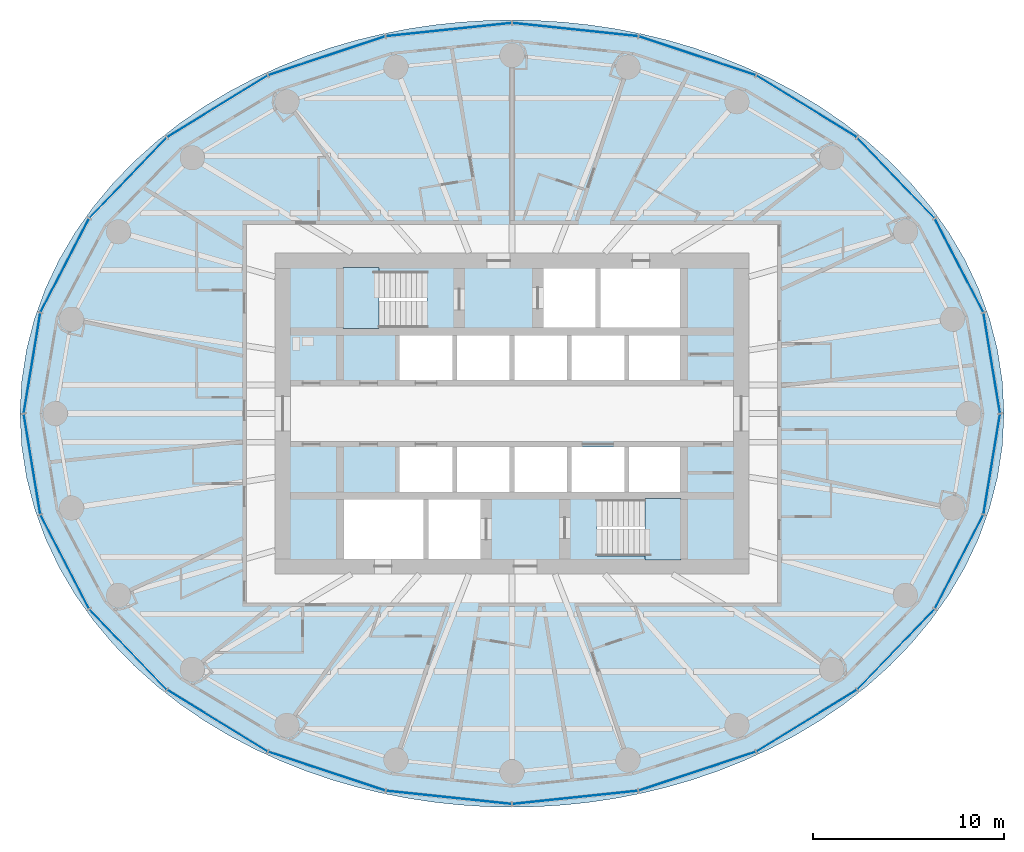
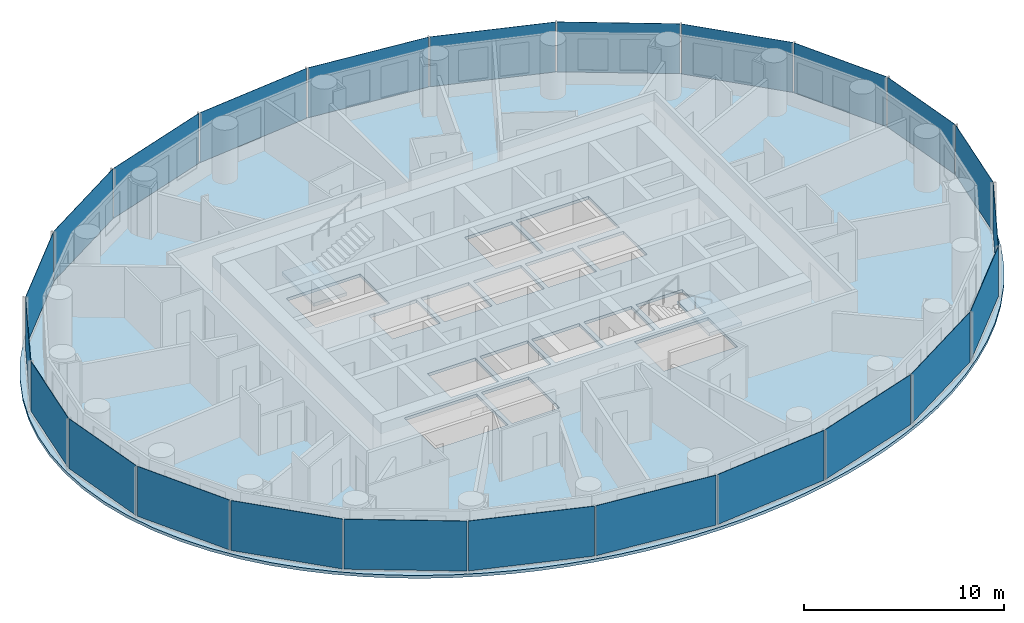
# One storey, part 5 of 14: 24 plates, 3 slabs, 6 elements without a shape of their own.
"""IFC4 building model written with IfcOpenShell, lengths in metres."""

import ifcopenshell
import ifcopenshell.guid

model = None  # the IFC model being written
_history = None  # IfcOwnerHistory: only IFC2X3 demands one
_inside = {}  # id of a spatial element -> (the spatial element, [elements in it])
_under = {}  # id of a project, library or spatial element -> (it, [spatial elements below it])
_declared = {}  # id of a project -> (the project, [libraries it declares])
_typed = {}  # id of a type object -> (the type object, [elements of that type])
_made_of = {}  # id of a material, layer set ... -> (it, [elements and type objects made of it])


def new_model(schema):
    """Start an empty IFC model of exactly this schema.

    Asked for "IFC4X3", IfcOpenShell would pick the latest addendum, in which some entities
    have other attributes; the version numbers below select the first issue.
    IFC2X3 requires an IfcOwnerHistory on every rooted entity: one is made here for all.
    """
    global model, _history
    if schema == "IFC4X3":
        model = ifcopenshell.file(schema_version=(4, 3, 0, 0))
    else:
        model = ifcopenshell.file(schema=schema)
    _inside.clear()
    _under.clear()
    _declared.clear()
    _typed.clear()
    _made_of.clear()
    _history = None
    if model.schema == "IFC2X3":
        org = make("IfcOrganization", Name="unknown")
        user = make(
            "IfcPersonAndOrganization",
            ThePerson=make("IfcPerson", FamilyName="unknown"),
            TheOrganization=org,
        )
        app = make(
            "IfcApplication",
            ApplicationDeveloper=org,
            Version="unknown",
            ApplicationFullName="unknown",
            ApplicationIdentifier="unknown",
        )
        _history = make(
            "IfcOwnerHistory",
            OwningUser=user,
            OwningApplication=app,
            ChangeAction="ADDED",
            CreationDate=0,
        )
    return model


def make(cls, **values):
    """One entity of the class cls with the attributes given. An attribute that is None is left unset."""
    return model.create_entity(
        cls, **{name: value for name, value in values.items() if value is not None}
    )


def rooted(cls, **values):
    """An entity with a GlobalId (a new one), such as an element, a storey or a relation."""
    return make(cls, GlobalId=ifcopenshell.guid.new(), OwnerHistory=_history, **values)


def si_unit(unit_type, name, prefix=None):
    """IfcSIUnit, for example si_unit("LENGTHUNIT", "METRE", prefix="MILLI")."""
    return make("IfcSIUnit", UnitType=unit_type, Prefix=prefix, Name=name)


def assignment(units):
    """IfcUnitAssignment: the units of a project."""
    return None if units is None else make("IfcUnitAssignment", Units=units)


def point(xyz):
    """IfcCartesianPoint."""
    return None if xyz is None else make("IfcCartesianPoint", Coordinates=xyz)


def direction(xyz):
    """IfcDirection."""
    return None if xyz is None else make("IfcDirection", DirectionRatios=xyz)


def frame(location, z_axis=None, x_axis=None):
    """IfcAxis2Placement3D, a coordinate frame: its origin and axes. An axis left out is left unset."""
    return make(
        "IfcAxis2Placement3D",
        Location=point(location),
        Axis=direction(z_axis),
        RefDirection=direction(x_axis),
    )


def frame_2d(location, x_axis=None):
    """IfcAxis2Placement2D, a coordinate frame in the plane: its origin and x axis."""
    return make(
        "IfcAxis2Placement2D", Location=point(location), RefDirection=direction(x_axis)
    )


def origin():
    """The frame at (0, 0, 0) with its axes left unset."""
    return frame((0.0, 0.0, 0.0))


def origin_2d():
    """The frame at (0, 0) in the plane with its x axis left unset."""
    return frame_2d((0.0, 0.0))


def place(relative_to, where):
    """IfcLocalPlacement: puts the frame where relative to a parent placement (None: the world)."""
    return make(
        "IfcLocalPlacement", PlacementRelTo=relative_to, RelativePlacement=where
    )


def context(
    kind, dimensions, precision=None, world=None, true_north=None, identifier=None
):
    """IfcGeometricRepresentationContext, for example the 3D "Model" context."""
    return make(
        "IfcGeometricRepresentationContext",
        ContextIdentifier=identifier,
        ContextType=kind,
        CoordinateSpaceDimension=dimensions,
        Precision=precision,
        WorldCoordinateSystem=world,
        TrueNorth=true_north,
    )


def subcontext(parent, identifier, kind, view, scale=None):
    """IfcGeometricRepresentationSubContext, for example "Body" below "Model"."""
    return make(
        "IfcGeometricRepresentationSubContext",
        ContextIdentifier=identifier,
        ContextType=kind,
        ParentContext=parent,
        TargetScale=scale,
        TargetView=view,
    )


def project(units=None, contexts=None):
    """IfcProject with its units and contexts."""
    return rooted(
        "IfcProject",
        Name="project",
        RepresentationContexts=contexts,
        UnitsInContext=assignment(units),
    )


def spatial(cls, under=None, at=None, **own):
    """A site, building, storey or space (cls), placed at a placement, below another one or the project."""
    s = rooted(cls, ObjectPlacement=at, **own)
    if under is not None:
        _under.setdefault(under.id(), (under, []))[1].append(s)
    return s


def polyline(points):
    """IfcPolyline through the points."""
    return make("IfcPolyline", Points=[point(p) for p in points])


def profile(cls, at=None, kind="AREA", **sizes):
    """A parametric profile (cls). Its sizes go by their IFC names, for example OverallWidth=200.0."""
    return make(cls, ProfileType=kind, Position=at, **sizes)


def rectangle(**sizes):
    """IfcRectangleProfileDef."""
    return profile("IfcRectangleProfileDef", **sizes)


def outline(outer, holes=None, kind="AREA"):
    """IfcArbitraryClosedProfileDef: a profile drawn as a closed curve; with holes, ...WithVoids."""
    if holes is None:
        return make("IfcArbitraryClosedProfileDef", ProfileType=kind, OuterCurve=outer)
    return make(
        "IfcArbitraryProfileDefWithVoids",
        ProfileType=kind,
        OuterCurve=outer,
        InnerCurves=holes,
    )


def extrude(swept, where, along, depth):
    """IfcExtrudedAreaSolid: the profile swept, set in the frame where, extruded along a direction by depth."""
    return make(
        "IfcExtrudedAreaSolid",
        SweptArea=swept,
        Position=where,
        ExtrudedDirection=direction(along),
        Depth=depth,
    )


def shape(context_of_items, identifier, shape_type, items):
    """IfcShapeRepresentation: the items that make up one representation, for example the "Body"."""
    return make(
        "IfcShapeRepresentation",
        ContextOfItems=context_of_items,
        RepresentationIdentifier=identifier,
        RepresentationType=shape_type,
        Items=items,
    )


def material(Name=None, Category=None):
    """IfcMaterial."""
    return make("IfcMaterial", Name=Name, Category=Category)


def layer(
    of_material, thickness, ventilated=None, Name=None, Category=None, Priority=None
):
    """IfcMaterialLayer: one layer of a wall or slab, of a material (None: an air gap)."""
    return make(
        "IfcMaterialLayer",
        Material=of_material,
        LayerThickness=thickness,
        IsVentilated=ventilated,
        Name=Name,
        Category=Category,
        Priority=Priority,
    )


def layer_set(layers, Name=None):
    """IfcMaterialLayerSet."""
    return make("IfcMaterialLayerSet", MaterialLayers=layers, LayerSetName=Name)


def made_of(thing, what):
    """Note that an element or type object is made of a material, layer set ...; save() writes the relation."""
    if what is not None:
        _made_of.setdefault(what.id(), (what, []))[1].append(thing)
    return thing


def type_object(cls, material=None, **own):
    """A type object (cls), such as IfcWallType, which elements share."""
    return made_of(rooted(cls, **own), material)


def element(
    cls,
    number,
    at=None,
    inside=None,
    cuts=None,
    type_object=None,
    material=None,
    context=None,
    identifier="Body",
    shape_type=None,
    held_by="IfcProductDefinitionShape",
    body=None,
    shapes=None,
    **own,
):
    """One element of the class cls, such as IfcWall. Its Tag is "e" and its number.

    at: its placement. inside: the storey or other place that contains it. cuts: it is an
    opening in that element (IfcRelVoidsElement). A single representation is given by context,
    identifier, shape_type and body (its items); several are given by shapes. held_by: the class
    of the entity that holds the representations. save() writes the other relations.
    """
    e = rooted(cls, Tag="e%d" % number, ObjectPlacement=at, **own)
    if body is not None:
        shapes = [shape(context, identifier, shape_type, body)]
    if shapes is not None:
        e.Representation = make(held_by, Representations=shapes)
    if inside is not None:
        _inside.setdefault(inside.id(), (inside, []))[1].append(e)
    if cuts is not None:
        rooted(
            "IfcRelVoidsElement", RelatingBuildingElement=cuts, RelatedOpeningElement=e
        )
    if type_object is not None:
        _typed.setdefault(type_object.id(), (type_object, []))[1].append(e)
    return made_of(e, material)


def aggregate(whole, parts):
    """IfcRelAggregates: a whole, such as a stair, and the parts it consists of."""
    return rooted("IfcRelAggregates", RelatingObject=whole, RelatedObjects=parts)


def save(model, path):
    """Write the relations noted so far, then the file.

    IfcRelAggregates (storeys below a building ...), IfcRelContainedInSpatialStructure (elements
    in a storey), IfcRelDefinesByType, IfcRelAssociatesMaterial and IfcRelDeclares: one each for
    every whole, place, type object, material and project.
    """
    for whole, parts in _under.values():
        aggregate(whole, parts)
    for where, things in _inside.values():
        rooted(
            "IfcRelContainedInSpatialStructure",
            RelatedElements=things,
            RelatingStructure=where,
        )
    for kind, things in _typed.values():
        rooted("IfcRelDefinesByType", RelatedObjects=things, RelatingType=kind)
    for what, things in _made_of.values():
        rooted("IfcRelAssociatesMaterial", RelatedObjects=things, RelatingMaterial=what)
    for by, libraries in _declared.values():
        rooted("IfcRelDeclares", RelatingContext=by, RelatedDefinitions=libraries)
    model.write(path)


model = new_model("IFC4")

# Units and contexts
model_context = context("Model", 3, precision=1e-05, world=origin(), true_north=direction((0.0, 1.0)))
body_context = subcontext(model_context, "Body", "Model", "MODEL_VIEW")
ifc_project = project(units=[si_unit("LENGTHUNIT", "METRE"), si_unit("AREAUNIT", "SQUARE_METRE"), si_unit("VOLUMEUNIT", "CUBIC_METRE"), si_unit("PLANEANGLEUNIT", "RADIAN"), si_unit("MASSUNIT", "GRAM", prefix="KILO")], contexts=[model_context])

# Site, building, storey
site_placement = place(None, origin())
site = spatial("IfcSite", under=ifc_project, at=site_placement, CompositionType="ELEMENT")
building_placement = place(site_placement, origin())
building = spatial("IfcBuilding", under=site, at=building_placement, Name="Hankou Lantern Tower", CompositionType="ELEMENT")
storey_placement = place(building_placement, frame((0.0, 0.0, 108.89990234375)))
storey = spatial("IfcBuildingStorey", under=building, at=storey_placement, Name="L27", CompositionType="ELEMENT", Elevation=108.89990234375)

# Curtain wall, plates
ifc_material_1 = material(Name="Glass, dark grey tinted laminated", Category="glass")
curtain_wall_type = type_object("IfcCurtainWallType", Name="CWB OUTER SKIN MID-RISE", PredefinedType="USERDEFINED", material=ifc_material_1)
curtain_wall_1_placement = place(storey_placement, origin())
curtain_wall_1 = element("IfcCurtainWall", 1, at=curtain_wall_1_placement, inside=storey, type_object=curtain_wall_type, Name="CWB L27 OS1", ObjectType="OUTER SKIN MID-RISE", PredefinedType="USERDEFINED")
ifc_material_2 = material(Name="Glass, dark grey tinted laminated", Category="glass")
ifc_layer_1 = layer(ifc_material_2, 0.02392578125)
ifc_layer_set_1 = layer_set([ifc_layer_1], Name="Glass, dark grey tinted laminated")
plate_type = type_object("IfcPlateType", Name="PN1 OUTER SKIN GLASS PANEL", PredefinedType="CURTAIN_PANEL", material=ifc_layer_set_1)
plate_1_placement = place(storey_placement, frame((25.11474609375, 2.64501953125, 0.080078125), z_axis=(0.0, 0.0, 1.0), x_axis=(-0.162381515188, 0.986728049427, 0.0)))
plate_1 = element("IfcPlate", 2, at=plate_1_placement, type_object=plate_type, Name="CWB glass panel 1", PredefinedType="CURTAIN_PANEL", context=body_context, shape_type="SweptSolid", body=[
    extrude(rectangle(XDim=5.281494140625, YDim=0.02392578125, at=origin_2d()), origin(), (0.0, 0.0, 1.0), 3.0400390625),
])
plate_2_placement = place(storey_placement, frame((23.403076171875, 7.755126953125, 0.080078125), z_axis=(0.0, 0.0, 1.0), x_axis=(-0.459791091957, 0.888027112062, 0.0)))
plate_2 = element("IfcPlate", 3, at=plate_2_placement, type_object=plate_type, Name="CWB glass panel 2", PredefinedType="CURTAIN_PANEL", context=body_context, shape_type="SweptSolid", body=[
    extrude(rectangle(XDim=5.471435546875, YDim=0.02392578125, at=origin_2d()), origin(), (0.0, 0.0, 1.0), 3.0400390625),
])
plate_3_placement = place(storey_placement, frame((20.0966796875, 12.336669921875, 0.080078125), z_axis=(0.0, 0.0, 1.0), x_axis=(-0.692215809936, 0.721690565599, 0.0)))
plate_3 = element("IfcPlate", 4, at=plate_3_placement, type_object=plate_type, Name="CWB glass panel 3", PredefinedType="CURTAIN_PANEL", context=body_context, shape_type="SweptSolid", body=[
    extrude(rectangle(XDim=5.78564453125, YDim=0.02392578125, at=origin_2d()), origin(), (0.0, 0.0, 1.0), 3.0400390625),
])
plate_4_placement = place(storey_placement, frame((15.4208984375, 16.077392578125, 0.080078125), z_axis=(0.0, 0.0, 1.0), x_axis=(-0.852237151549, 0.523155653242, 0.0)))
plate_4 = element("IfcPlate", 5, at=plate_4_placement, type_object=plate_type, Name="CWB glass panel 4", PredefinedType="CURTAIN_PANEL", context=body_context, shape_type="SweptSolid", body=[
    extrude(rectangle(XDim=6.129150390625, YDim=0.02392578125, at=origin_2d()), origin(), (0.0, 0.0, 1.0), 3.0400390625),
])
plate_5_placement = place(storey_placement, frame((9.69384765625, 18.72265625, 0.080078125), z_axis=(0.0, 0.0, 1.0), x_axis=(-0.949240677293, 0.31455068999, 0.0)))
plate_5 = element("IfcPlate", 6, at=plate_5_placement, type_object=plate_type, Name="CWB glass panel 5", PredefinedType="CURTAIN_PANEL", context=body_context, shape_type="SweptSolid", body=[
    extrude(rectangle(XDim=6.41162109375, YDim=0.02392578125, at=origin_2d()), origin(), (0.0, 0.0, 1.0), 3.0400390625),
])
plate_6_placement = place(storey_placement, frame((3.306396484375, 20.091796875, 0.080078125), z_axis=(0.0, 0.0, 1.0), x_axis=(-0.994499359107, 0.104742659579, 0.0)))
plate_6 = element("IfcPlate", 7, at=plate_6_placement, type_object=plate_type, Name="CWB glass panel 6", PredefinedType="CURTAIN_PANEL", context=body_context, shape_type="SweptSolid", body=[
    extrude(rectangle(XDim=6.5693359375, YDim=0.02392578125, at=origin_2d()), origin(), (0.0, 0.0, 1.0), 3.0400390625),
])
aggregate(curtain_wall_1, [plate_1, plate_2, plate_3, plate_4, plate_5, plate_6])

curtain_wall_2_placement = place(storey_placement, origin())
curtain_wall_2 = element("IfcCurtainWall", 8, at=curtain_wall_2_placement, inside=storey, type_object=curtain_wall_type, Name="CWB L27 OS2", ObjectType="OUTER SKIN MID-RISE", PredefinedType="USERDEFINED")
plate_7_placement = place(storey_placement, frame((-3.306396484375, 20.091796875, 0.080078125), z_axis=(0.0, 0.0, 1.0), x_axis=(-0.994499359107, -0.104742659579, 0.0)))
plate_7 = element("IfcPlate", 9, at=plate_7_placement, type_object=plate_type, Name="CWB glass panel 1", PredefinedType="CURTAIN_PANEL", context=body_context, shape_type="SweptSolid", body=[
    extrude(rectangle(XDim=6.5693359375, YDim=0.02392578125, at=origin_2d()), origin(), (0.0, 0.0, 1.0), 3.0400390625),
])
plate_8_placement = place(storey_placement, frame((-9.69384765625, 18.72265625, 0.080078125), z_axis=(0.0, 0.0, 1.0), x_axis=(-0.949240677293, -0.31455068999, 0.0)))
plate_8 = element("IfcPlate", 10, at=plate_8_placement, type_object=plate_type, Name="CWB glass panel 2", PredefinedType="CURTAIN_PANEL", context=body_context, shape_type="SweptSolid", body=[
    extrude(rectangle(XDim=6.41162109375, YDim=0.02392578125, at=origin_2d()), origin(), (0.0, 0.0, 1.0), 3.0400390625),
])
plate_9_placement = place(storey_placement, frame((-15.4208984375, 16.077392578125, 0.080078125), z_axis=(0.0, 0.0, 1.0), x_axis=(-0.852237151549, -0.523155653242, 0.0)))
plate_9 = element("IfcPlate", 11, at=plate_9_placement, type_object=plate_type, Name="CWB glass panel 3", PredefinedType="CURTAIN_PANEL", context=body_context, shape_type="SweptSolid", body=[
    extrude(rectangle(XDim=6.129150390625, YDim=0.02392578125, at=origin_2d()), origin(), (0.0, 0.0, 1.0), 3.0400390625),
])
plate_10_placement = place(storey_placement, frame((-20.0966796875, 12.336669921875, 0.080078125), z_axis=(0.0, 0.0, 1.0), x_axis=(-0.692215809936, -0.721690565599, 0.0)))
plate_10 = element("IfcPlate", 12, at=plate_10_placement, type_object=plate_type, Name="CWB glass panel 4", PredefinedType="CURTAIN_PANEL", context=body_context, shape_type="SweptSolid", body=[
    extrude(rectangle(XDim=5.78564453125, YDim=0.02392578125, at=origin_2d()), origin(), (0.0, 0.0, 1.0), 3.0400390625),
])
plate_11_placement = place(storey_placement, frame((-23.403076171875, 7.755126953125, 0.080078125), z_axis=(0.0, 0.0, 1.0), x_axis=(-0.459791091957, -0.888027112062, 0.0)))
plate_11 = element("IfcPlate", 13, at=plate_11_placement, type_object=plate_type, Name="CWB glass panel 5", PredefinedType="CURTAIN_PANEL", context=body_context, shape_type="SweptSolid", body=[
    extrude(rectangle(XDim=5.471435546875, YDim=0.02392578125, at=origin_2d()), origin(), (0.0, 0.0, 1.0), 3.0400390625),
])
plate_12_placement = place(storey_placement, frame((-25.11474609375, 2.64501953125, 0.080078125), z_axis=(0.0, 0.0, 1.0), x_axis=(-0.162381515188, -0.986728049427, 0.0)))
plate_12 = element("IfcPlate", 14, at=plate_12_placement, type_object=plate_type, Name="CWB glass panel 6", PredefinedType="CURTAIN_PANEL", context=body_context, shape_type="SweptSolid", body=[
    extrude(rectangle(XDim=5.281494140625, YDim=0.02392578125, at=origin_2d()), origin(), (0.0, 0.0, 1.0), 3.0400390625),
])
aggregate(curtain_wall_2, [plate_7, plate_8, plate_9, plate_10, plate_11, plate_12])

curtain_wall_3_placement = place(storey_placement, origin())
curtain_wall_3 = element("IfcCurtainWall", 15, at=curtain_wall_3_placement, inside=storey, type_object=curtain_wall_type, Name="CWB L27 OS3", ObjectType="OUTER SKIN MID-RISE", PredefinedType="USERDEFINED")
plate_13_placement = place(storey_placement, frame((-25.11474609375, -2.64501953125, 0.080078125), z_axis=(0.0, 0.0, 1.0), x_axis=(0.162381515188, -0.986728049427, 0.0)))
plate_13 = element("IfcPlate", 16, at=plate_13_placement, type_object=plate_type, Name="CWB glass panel 1", PredefinedType="CURTAIN_PANEL", context=body_context, shape_type="SweptSolid", body=[
    extrude(rectangle(XDim=5.281494140625, YDim=0.02392578125, at=origin_2d()), origin(), (0.0, 0.0, 1.0), 3.0400390625),
])
plate_14_placement = place(storey_placement, frame((-23.403076171875, -7.755126953125, 0.080078125), z_axis=(0.0, 0.0, 1.0), x_axis=(0.459791091957, -0.888027112062, 0.0)))
plate_14 = element("IfcPlate", 17, at=plate_14_placement, type_object=plate_type, Name="CWB glass panel 2", PredefinedType="CURTAIN_PANEL", context=body_context, shape_type="SweptSolid", body=[
    extrude(rectangle(XDim=5.471435546875, YDim=0.02392578125, at=origin_2d()), origin(), (0.0, 0.0, 1.0), 3.0400390625),
])
plate_15_placement = place(storey_placement, frame((-20.0966796875, -12.336669921875, 0.080078125), z_axis=(0.0, 0.0, 1.0), x_axis=(0.692215809936, -0.721690565599, 0.0)))
plate_15 = element("IfcPlate", 18, at=plate_15_placement, type_object=plate_type, Name="CWB glass panel 3", PredefinedType="CURTAIN_PANEL", context=body_context, shape_type="SweptSolid", body=[
    extrude(rectangle(XDim=5.78564453125, YDim=0.02392578125, at=origin_2d()), origin(), (0.0, 0.0, 1.0), 3.0400390625),
])
plate_16_placement = place(storey_placement, frame((-15.4208984375, -16.077392578125, 0.080078125), z_axis=(0.0, 0.0, 1.0), x_axis=(0.852237151549, -0.523155653242, 0.0)))
plate_16 = element("IfcPlate", 19, at=plate_16_placement, type_object=plate_type, Name="CWB glass panel 4", PredefinedType="CURTAIN_PANEL", context=body_context, shape_type="SweptSolid", body=[
    extrude(rectangle(XDim=6.129150390625, YDim=0.02392578125, at=origin_2d()), origin(), (0.0, 0.0, 1.0), 3.0400390625),
])
plate_17_placement = place(storey_placement, frame((-9.69384765625, -18.72265625, 0.080078125), z_axis=(0.0, 0.0, 1.0), x_axis=(0.949240677293, -0.31455068999, 0.0)))
plate_17 = element("IfcPlate", 20, at=plate_17_placement, type_object=plate_type, Name="CWB glass panel 5", PredefinedType="CURTAIN_PANEL", context=body_context, shape_type="SweptSolid", body=[
    extrude(rectangle(XDim=6.41162109375, YDim=0.02392578125, at=origin_2d()), origin(), (0.0, 0.0, 1.0), 3.0400390625),
])
plate_18_placement = place(storey_placement, frame((-3.306396484375, -20.091796875, 0.080078125), z_axis=(0.0, 0.0, 1.0), x_axis=(0.994499359107, -0.104742659579, 0.0)))
plate_18 = element("IfcPlate", 21, at=plate_18_placement, type_object=plate_type, Name="CWB glass panel 6", PredefinedType="CURTAIN_PANEL", context=body_context, shape_type="SweptSolid", body=[
    extrude(rectangle(XDim=6.5693359375, YDim=0.02392578125, at=origin_2d()), origin(), (0.0, 0.0, 1.0), 3.0400390625),
])
aggregate(curtain_wall_3, [plate_13, plate_14, plate_15, plate_16, plate_17, plate_18])

curtain_wall_4_placement = place(storey_placement, origin())
curtain_wall_4 = element("IfcCurtainWall", 22, at=curtain_wall_4_placement, inside=storey, type_object=curtain_wall_type, Name="CWB L27 OS4", ObjectType="OUTER SKIN MID-RISE", PredefinedType="USERDEFINED")
plate_19_placement = place(storey_placement, frame((3.306396484375, -20.091796875, 0.080078125), z_axis=(0.0, 0.0, 1.0), x_axis=(0.994499359107, 0.104742659579, 0.0)))
plate_19 = element("IfcPlate", 23, at=plate_19_placement, type_object=plate_type, Name="CWB glass panel 1", PredefinedType="CURTAIN_PANEL", context=body_context, shape_type="SweptSolid", body=[
    extrude(rectangle(XDim=6.5693359375, YDim=0.02392578125, at=origin_2d()), origin(), (0.0, 0.0, 1.0), 3.0400390625),
])
plate_20_placement = place(storey_placement, frame((9.69384765625, -18.72265625, 0.080078125), z_axis=(0.0, 0.0, 1.0), x_axis=(0.949240677293, 0.31455068999, 0.0)))
plate_20 = element("IfcPlate", 24, at=plate_20_placement, type_object=plate_type, Name="CWB glass panel 2", PredefinedType="CURTAIN_PANEL", context=body_context, shape_type="SweptSolid", body=[
    extrude(rectangle(XDim=6.41162109375, YDim=0.02392578125, at=origin_2d()), origin(), (0.0, 0.0, 1.0), 3.0400390625),
])
plate_21_placement = place(storey_placement, frame((15.4208984375, -16.077392578125, 0.080078125), z_axis=(0.0, 0.0, 1.0), x_axis=(0.852237151549, 0.523155653242, 0.0)))
plate_21 = element("IfcPlate", 25, at=plate_21_placement, type_object=plate_type, Name="CWB glass panel 3", PredefinedType="CURTAIN_PANEL", context=body_context, shape_type="SweptSolid", body=[
    extrude(rectangle(XDim=6.129150390625, YDim=0.02392578125, at=origin_2d()), origin(), (0.0, 0.0, 1.0), 3.0400390625),
])
plate_22_placement = place(storey_placement, frame((20.0966796875, -12.336669921875, 0.080078125), z_axis=(0.0, 0.0, 1.0), x_axis=(0.692215809936, 0.721690565599, 0.0)))
plate_22 = element("IfcPlate", 26, at=plate_22_placement, type_object=plate_type, Name="CWB glass panel 4", PredefinedType="CURTAIN_PANEL", context=body_context, shape_type="SweptSolid", body=[
    extrude(rectangle(XDim=5.78564453125, YDim=0.02392578125, at=origin_2d()), origin(), (0.0, 0.0, 1.0), 3.0400390625),
])
plate_23_placement = place(storey_placement, frame((23.403076171875, -7.755126953125, 0.080078125), z_axis=(0.0, 0.0, 1.0), x_axis=(0.459791091957, 0.888027112062, 0.0)))
plate_23 = element("IfcPlate", 27, at=plate_23_placement, type_object=plate_type, Name="CWB glass panel 5", PredefinedType="CURTAIN_PANEL", context=body_context, shape_type="SweptSolid", body=[
    extrude(rectangle(XDim=5.471435546875, YDim=0.02392578125, at=origin_2d()), origin(), (0.0, 0.0, 1.0), 3.0400390625),
])
plate_24_placement = place(storey_placement, frame((25.11474609375, -2.64501953125, 0.080078125), z_axis=(0.0, 0.0, 1.0), x_axis=(0.162381515188, 0.986728049427, 0.0)))
plate_24 = element("IfcPlate", 28, at=plate_24_placement, type_object=plate_type, Name="CWB glass panel 6", PredefinedType="CURTAIN_PANEL", context=body_context, shape_type="SweptSolid", body=[
    extrude(rectangle(XDim=5.281494140625, YDim=0.02392578125, at=origin_2d()), origin(), (0.0, 0.0, 1.0), 3.0400390625),
])
aggregate(curtain_wall_4, [plate_19, plate_20, plate_21, plate_22, plate_23, plate_24])

# Slab
ifc_material_3 = material(Name="Concrete C50", Category="concrete")
ifc_layer_2 = layer(ifc_material_3, 0.179931640625)
ifc_layer_set_2 = layer_set([ifc_layer_2], Name="Concrete C50")
slab_type_1 = type_object("IfcSlabType", Name="S1 CONCRETE FLOOR SLAB 180", PredefinedType="FLOOR", material=ifc_layer_set_2)
slab_1_placement = place(storey_placement, frame((0.0, 0.0, -0.179931640625)))
element("IfcSlab", 29, at=slab_1_placement, inside=storey, type_object=slab_type_1, Name="Floor slab L27", PredefinedType="FLOOR", context=body_context, shape_type="SweptSolid", body=[
    extrude(outline(polyline([(25.75, 0.0), (25.6640625, 1.68212890625), (25.408203125, 3.344970703125), (24.9892578125, 4.970703125), (24.416748046875, 6.54248046875), (23.704345703125, 8.046630859375), (22.86669921875, 9.4716796875), (21.919921875, 10.809814453125), (20.88037109375, 12.05517578125), (19.763427734375, 13.205322265625), (18.58349609375, 14.259765625), (17.35400390625, 15.218994140625), (16.0859375, 16.0859375), (14.7890625, 16.863525390625), (13.47119140625, 17.55615234375), (12.138916015625, 18.167236328125), (10.79736328125, 18.701416015625), (9.449951171875, 19.16259765625), (8.099609375, 19.554443359375), (6.748291015625, 19.8798828125), (5.397216796875, 20.142333984375), (4.046630859375, 20.343994140625), (2.697021484375, 20.486572265625), (1.348388671875, 20.57177734375), (0.0, 20.60009765625), (-1.348388671875, 20.57177734375), (-2.697021484375, 20.486572265625), (-4.046630859375, 20.343994140625), (-5.397216796875, 20.142333984375), (-6.748291015625, 19.8798828125), (-8.099609375, 19.554443359375), (-9.449951171875, 19.16259765625), (-10.79736328125, 18.701416015625), (-12.138916015625, 18.167236328125), (-13.47119140625, 17.55615234375), (-14.7890625, 16.863525390625), (-16.0859375, 16.0859375), (-17.35400390625, 15.218994140625), (-18.58349609375, 14.259765625), (-19.763427734375, 13.205322265625), (-20.88037109375, 12.05517578125), (-21.919921875, 10.809814453125), (-22.86669921875, 9.4716796875), (-23.704345703125, 8.046630859375), (-24.416748046875, 6.54248046875), (-24.9892578125, 4.970703125), (-25.408203125, 3.344970703125), (-25.6640625, 1.68212890625), (-25.75, 0.0), (-25.6640625, -1.68212890625), (-25.408203125, -3.344970703125), (-24.9892578125, -4.970703125), (-24.416748046875, -6.54248046875), (-23.704345703125, -8.046630859375), (-22.86669921875, -9.4716796875), (-21.919921875, -10.809814453125), (-20.88037109375, -12.05517578125), (-19.763427734375, -13.205322265625), (-18.58349609375, -14.259765625), (-17.35400390625, -15.218994140625), (-16.0859375, -16.0859375), (-14.7890625, -16.863525390625), (-13.47119140625, -17.55615234375), (-12.138916015625, -18.167236328125), (-10.79736328125, -18.701416015625), (-9.449951171875, -19.16259765625), (-8.099609375, -19.554443359375), (-6.748291015625, -19.8798828125), (-5.397216796875, -20.142333984375), (-4.046630859375, -20.343994140625), (-2.697021484375, -20.486572265625), (-1.348388671875, -20.57177734375), (0.0, -20.60009765625), (1.348388671875, -20.57177734375), (2.697021484375, -20.486572265625), (4.046630859375, -20.343994140625), (5.397216796875, -20.142333984375), (6.748291015625, -19.8798828125), (8.099609375, -19.554443359375), (9.449951171875, -19.16259765625), (10.79736328125, -18.701416015625), (12.138916015625, -18.167236328125), (13.47119140625, -17.55615234375), (14.7890625, -16.863525390625), (16.0859375, -16.0859375), (17.35400390625, -15.218994140625), (18.58349609375, -14.259765625), (19.763427734375, -13.205322265625), (20.88037109375, -12.05517578125), (21.919921875, -10.809814453125), (22.86669921875, -9.4716796875), (23.704345703125, -8.046630859375), (24.416748046875, -6.54248046875), (24.9892578125, -4.970703125), (25.408203125, -3.344970703125), (25.6640625, -1.68212890625), (25.75, 0.0)]), holes=[polyline([(-5.875, 4.10009765625), (-3.125, 4.10009765625), (-3.125, 1.75), (-5.875, 1.75), (-5.875, 4.10009765625)]), polyline([(-2.875, 4.10009765625), (-0.125, 4.10009765625), (-0.125, 1.75), (-2.875, 1.75), (-2.875, 4.10009765625)]), polyline([(0.125, 4.10009765625), (2.875, 4.10009765625), (2.875, 1.75), (0.125, 1.75), (0.125, 4.10009765625)]), polyline([(3.125, 4.10009765625), (5.875, 4.10009765625), (5.875, 1.75), (3.125, 1.75), (3.125, 4.10009765625)]), polyline([(6.125, 4.10009765625), (8.800048828125, 4.10009765625), (8.800048828125, 1.75), (6.125, 1.75), (6.125, 4.10009765625)]), polyline([(-5.875, -1.75), (-3.125, -1.75), (-3.125, -4.10009765625), (-5.875, -4.10009765625), (-5.875, -1.75)]), polyline([(-2.875, -1.75), (-0.125, -1.75), (-0.125, -4.10009765625), (-2.875, -4.10009765625), (-2.875, -1.75)]), polyline([(0.125, -1.75), (2.875, -1.75), (2.875, -4.10009765625), (0.125, -4.10009765625), (0.125, -1.75)]), polyline([(3.125, -1.75), (5.875, -1.75), (5.875, -4.10009765625), (3.125, -4.10009765625), (3.125, -1.75)]), polyline([(6.125, -1.75), (8.800048828125, -1.75), (8.800048828125, -4.10009765625), (6.125, -4.10009765625), (6.125, -1.75)]), polyline([(1.64990234375, 7.60009765625), (4.375, 7.60009765625), (4.375, 4.5), (1.64990234375, 4.5), (1.64990234375, 7.60009765625)]), polyline([(-4.375, -4.5), (-1.64990234375, -4.5), (-1.64990234375, -7.60009765625), (-4.375, -7.60009765625), (-4.375, -4.5)]), polyline([(-8.699951171875, 7.449951171875), (-4.449951171875, 7.449951171875), (-4.449951171875, 4.5), (-8.699951171875, 4.5), (-8.699951171875, 7.449951171875)]), polyline([(4.449951171875, -4.5), (8.699951171875, -4.5), (8.699951171875, -7.449951171875), (4.449951171875, -7.449951171875), (4.449951171875, -4.5)]), polyline([(4.625, 7.60009765625), (8.800048828125, 7.60009765625), (8.800048828125, 4.5), (4.625, 4.5), (4.625, 7.60009765625)]), polyline([(-8.800048828125, -4.5), (-4.625, -4.5), (-4.625, -7.60009765625), (-8.800048828125, -7.60009765625), (-8.800048828125, -4.5)])]), origin(), (0.0, 0.0, 1.0), 0.179931640625),
])

# Stair, slab
ifc_material_4 = material(Name="Concrete C40", Category="concrete")
stair_type = type_object("IfcStairType", Name="ST33 CORE STAIR 3300 RISE", PredefinedType="HALF_TURN_STAIR", material=ifc_material_4)
stair_1_placement = place(storey_placement, origin())
stair_1 = element("IfcStair", 30, at=stair_1_placement, inside=storey, type_object=stair_type, Name="Stair STA L27", PredefinedType="HALF_TURN_STAIR")
ifc_material_5 = material(Name="Concrete C40", Category="concrete")
ifc_layer_3 = layer(ifc_material_5, 0.199951171875)
ifc_layer_set_3 = layer_set([ifc_layer_3], Name="Concrete C40")
slab_type_2 = type_object("IfcSlabType", Name="SL1 STAIR LANDING 200", PredefinedType="LANDING", material=ifc_layer_set_3)
slab_2_placement = place(storey_placement, frame((0.0, 0.0, 1.37158203125)))
slab_2 = element("IfcSlab", 31, at=slab_2_placement, type_object=slab_type_2, Name="STA landing 1", PredefinedType="LANDING", context=body_context, shape_type="SweptSolid", body=[
    extrude(outline(polyline([(-8.85009765625, 4.449951171875), (-6.949951171875, 4.449951171875), (-6.949951171875, 7.64990234375), (-8.85009765625, 7.64990234375), (-8.85009765625, 4.449951171875)])), origin(), (0.0, 0.0, 1.0), 0.199951171875),
])
aggregate(stair_1, [slab_2])

stair_2_placement = place(storey_placement, origin())
stair_2 = element("IfcStair", 32, at=stair_2_placement, inside=storey, type_object=stair_type, Name="Stair STB L27", PredefinedType="HALF_TURN_STAIR")
slab_3_placement = place(storey_placement, frame((0.0, 0.0, 1.37158203125)))
slab_3 = element("IfcSlab", 33, at=slab_3_placement, type_object=slab_type_2, Name="STB landing 1", PredefinedType="LANDING", context=body_context, shape_type="SweptSolid", body=[
    extrude(outline(polyline([(8.85009765625, -4.449951171875), (6.949951171875, -4.449951171875), (6.949951171875, -7.64990234375), (8.85009765625, -7.64990234375), (8.85009765625, -4.449951171875)])), origin(), (0.0, 0.0, 1.0), 0.199951171875),
])
aggregate(stair_2, [slab_3])

save(model, "model.ifc")
